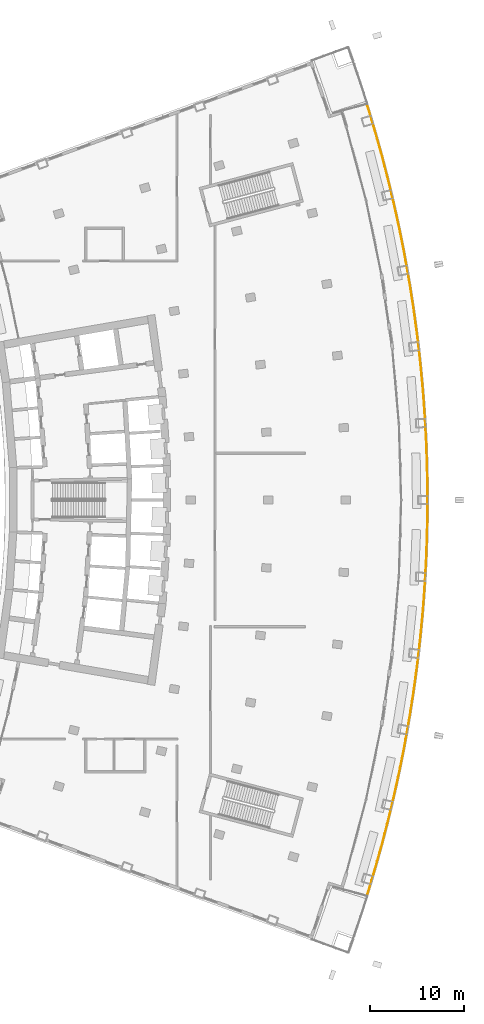
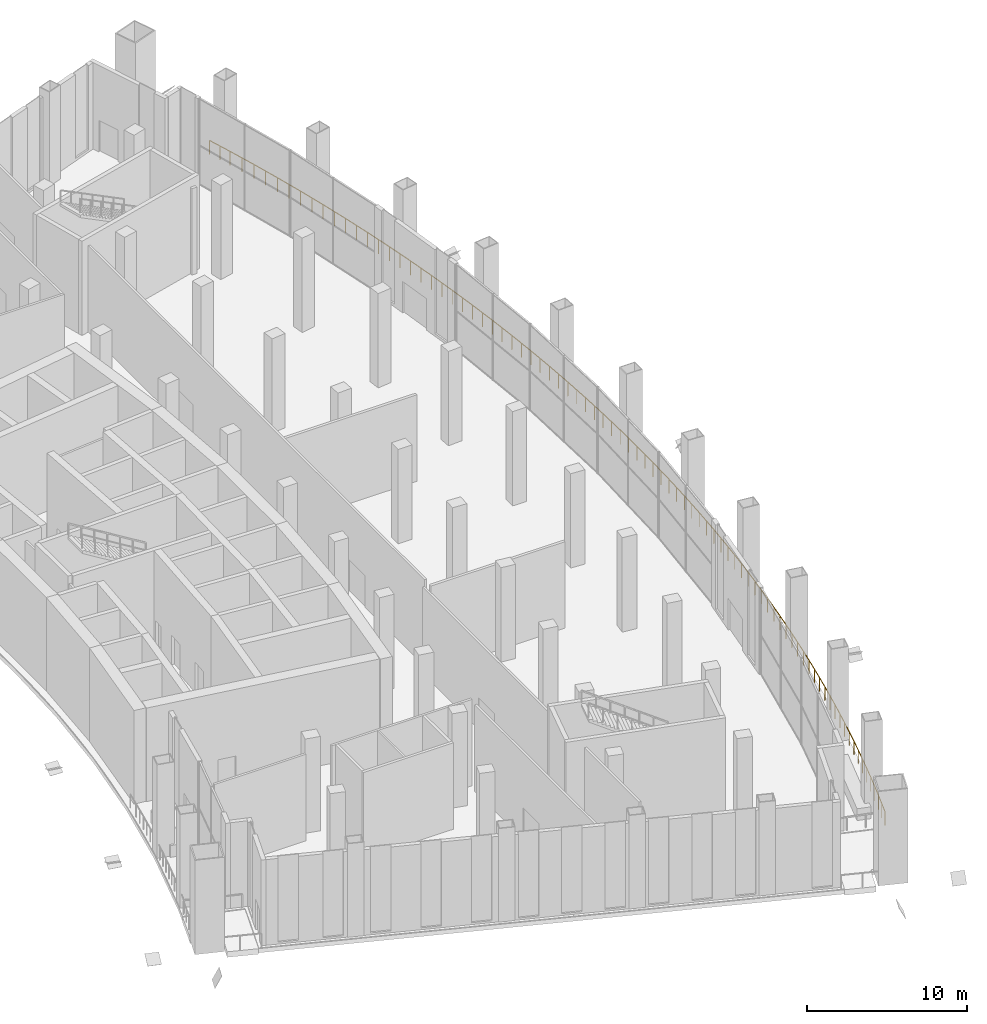
# One storey, part 16 of 18: 1 railing.
"""IFC4 building model written with IfcOpenShell, lengths in metres."""

from ifc_helpers import new_model, si_unit, direction, frame, origin, origin_2d, place, context, subcontext, project, spatial, rectangle, extrude, material, type_object, element, save


model = new_model("IFC4")

# Units and contexts
model_context = context("Model", 3, precision=1e-05, world=origin(), true_north=direction((0.0, 1.0)))
body_context = subcontext(model_context, "Body", "Model", "MODEL_VIEW")
ifc_project = project(units=[si_unit("LENGTHUNIT", "METRE"), si_unit("AREAUNIT", "SQUARE_METRE"), si_unit("VOLUMEUNIT", "CUBIC_METRE"), si_unit("PLANEANGLEUNIT", "RADIAN"), si_unit("MASSUNIT", "GRAM", prefix="KILO")], contexts=[model_context])

# Site, building, storey
site_placement = place(None, origin())
site = spatial("IfcSite", under=ifc_project, at=site_placement, CompositionType="ELEMENT")
building_placement = place(site_placement, origin())
building = spatial("IfcBuilding", under=site, at=building_placement, Name="Alderwake Tower", CompositionType="ELEMENT")
storey_placement = place(building_placement, frame((0.0, 0.0, 125.60009765625)))
storey = spatial("IfcBuildingStorey", under=building, at=storey_placement, Name="L31", CompositionType="ELEMENT", Elevation=125.60009765625)

# Railing
ifc_material = material(Name="Stainless steel 316 rail and posts", Category="steel")
railing_type = type_object("IfcRailingType", Name="Balcony guard 1100", PredefinedType="GUARDRAIL", material=ifc_material)
railing_placement = place(storey_placement, frame((54.5771484375, 18.76171875, 0.0)))
element("IfcRailing", 1, at=railing_placement, inside=storey, type_object=railing_type, Name="Guard garden terrace front", PredefinedType="GUARDRAIL", context=body_context, shape_type="SweptSolid", body=[
    extrude(rectangle(XDim=0.048095703125, YDim=0.048095703125, at=origin_2d()), frame((0.0, 0.0, 1.076171875), z_axis=(0.293626864512, 0.955920114046, 0.0), x_axis=(-0.955920114046, 0.293626864512, 0.0)), (0.0, 0.0, 1.0), 1.7568359375),
    extrude(rectangle(XDim=0.048095703125, YDim=0.048095703125, at=origin_2d()), frame((0.515869140625, 1.679443359375, 1.076171875), z_axis=(0.280469417491, 0.959862962017, 0.0), x_axis=(-0.959862962017, 0.280469417491, 0.0)), (0.0, 0.0, 1.0), 2.056884765625),
    extrude(rectangle(XDim=0.048095703125, YDim=0.048095703125, at=origin_2d()), frame((1.0927734375, 3.65380859375, 1.076171875), z_axis=(0.266560251792, 0.963818256812, 0.0), x_axis=(-0.963818256812, 0.266560251792, 0.0)), (0.0, 0.0, 1.0), 2.05712890625),
    extrude(rectangle(XDim=0.048095703125, YDim=0.048095703125, at=origin_2d()), frame((1.64111328125, 5.636474609375, 1.076171875), z_axis=(0.252465383571, 0.967605927069, 0.0), x_axis=(-0.967605927069, 0.252465383571, 0.0)), (0.0, 0.0, 1.0), 2.056884765625),
    extrude(rectangle(XDim=0.048095703125, YDim=0.048095703125, at=origin_2d()), frame((2.160400390625, 7.626708984375, 1.076171875), z_axis=(0.238316577119, 0.971187525183, 0.0), x_axis=(-0.971187525183, 0.238316577119, 0.0)), (0.0, 0.0, 1.0), 2.05712890625),
    extrude(rectangle(XDim=0.048095703125, YDim=0.048095703125, at=origin_2d()), frame((2.650634765625, 9.62451171875, 1.076171875), z_axis=(0.224087946993, 0.97456892625, 0.0), x_axis=(-0.97456892625, 0.224087946993, 0.0)), (0.0, 0.0, 1.0), 2.056884765625),
    extrude(rectangle(XDim=0.048095703125, YDim=0.048095703125, at=origin_2d()), frame((3.111572265625, 11.629150390625, 1.076171875), z_axis=(0.209861436368, 0.977731137648, 0.0), x_axis=(-0.977731137648, 0.209861436368, 0.0)), (0.0, 0.0, 1.0), 2.056884765625),
    extrude(rectangle(XDim=0.048095703125, YDim=0.048095703125, at=origin_2d()), frame((3.543212890625, 13.64013671875, 1.076171875), z_axis=(0.19559115877, 0.98068552483, 0.0), x_axis=(-0.98068552483, 0.19559115877, 0.0)), (0.0, 0.0, 1.0), 2.05712890625),
    extrude(rectangle(XDim=0.048095703125, YDim=0.048095703125, at=origin_2d()), frame((3.945556640625, 15.657470703125, 1.076171875), z_axis=(0.181370882699, 0.983414766469, 0.0), x_axis=(-0.983414766469, 0.181370882699, 0.0)), (0.0, 0.0, 1.0), 2.056884765625),
    extrude(rectangle(XDim=0.048095703125, YDim=0.048095703125, at=origin_2d()), frame((4.318603515625, 17.68017578125, 1.076171875), z_axis=(0.166861853667, 0.985980284687, 0.0), x_axis=(-0.985980284687, 0.166861853667, 0.0)), (0.0, 0.0, 1.0), 2.05712890625),
    extrude(rectangle(XDim=0.048095703125, YDim=0.048095703125, at=origin_2d()), frame((4.661865234375, 19.70849609375, 1.076171875), z_axis=(0.152529909749, 0.988298854918, 0.0), x_axis=(-0.988298854918, 0.152529909749, 0.0)), (0.0, 0.0, 1.0), 2.056884765625),
    extrude(rectangle(XDim=0.048095703125, YDim=0.048095703125, at=origin_2d()), frame((4.9755859375, 21.7412109375, 1.076171875), z_axis=(0.138147299207, 0.990411694055, 0.0), x_axis=(-0.990411694055, 0.138147299207, 0.0)), (0.0, 0.0, 1.0), 2.05712890625),
    extrude(rectangle(XDim=0.048095703125, YDim=0.048095703125, at=origin_2d()), frame((5.259765625, 23.778564453125, 1.076171875), z_axis=(0.123669542247, 0.992323457508, 0.0), x_axis=(-0.992323457508, 0.123669542247, 0.0)), (0.0, 0.0, 1.0), 2.05712890625),
    extrude(rectangle(XDim=0.048095703125, YDim=0.048095703125, at=origin_2d()), frame((5.51416015625, 25.81982421875, 1.076171875), z_axis=(0.109076614284, 0.994033345626, 0.0), x_axis=(-0.994033345626, 0.109076614284, 0.0)), (0.0, 0.0, 1.0), 2.056884765625),
    extrude(rectangle(XDim=0.048095703125, YDim=0.048095703125, at=origin_2d()), frame((5.738525390625, 27.864501953125, 1.076171875), z_axis=(0.094719470037, 0.995504004008, 0.0), x_axis=(-0.995504004008, 0.094719470037, 0.0)), (0.0, 0.0, 1.0), 2.056884765625),
    extrude(rectangle(XDim=0.048095703125, YDim=0.048095703125, at=origin_2d()), frame((5.933349609375, 29.912109375, 1.076171875), z_axis=(0.080117901998, 0.996785394044, 0.0), x_axis=(-0.996785394044, 0.080117901998, 0.0)), (0.0, 0.0, 1.0), 2.056884765625),
    extrude(rectangle(XDim=0.048095703125, YDim=0.048095703125, at=origin_2d()), frame((6.09814453125, 31.96240234375, 1.076171875), z_axis=(0.065518490326, 0.997851355376, 0.0), x_axis=(-0.997851355376, 0.065518490326, 0.0)), (0.0, 0.0, 1.0), 2.056884765625),
    extrude(rectangle(XDim=0.048095703125, YDim=0.048095703125, at=origin_2d()), frame((6.23291015625, 34.014892578125, 1.076171875), z_axis=(0.051032644544, 0.998696985672, 0.0), x_axis=(-0.998696985672, 0.051032644544, 0.0)), (0.0, 0.0, 1.0), 2.05712890625),
    extrude(rectangle(XDim=0.048095703125, YDim=0.048095703125, at=origin_2d()), frame((6.337890625, 36.0693359375, 1.076171875), z_axis=(0.036436596412, 0.999335966751, 0.0), x_axis=(-0.999335966751, 0.036436596412, 0.0)), (0.0, 0.0, 1.0), 2.05712890625),
    extrude(rectangle(XDim=0.048095703125, YDim=0.048095703125, at=origin_2d()), frame((6.412841796875, 38.125, 1.076171875), z_axis=(0.021839737996, 0.999761484477, 0.0), x_axis=(-0.999761484477, 0.021839737996, 0.0)), (0.0, 0.0, 1.0), 2.056884765625),
    extrude(rectangle(XDim=0.048095703125, YDim=0.048095703125, at=origin_2d()), frame((6.457763671875, 40.181396484375, 1.076171875), z_axis=(0.007358851186, 0.999972923288, 0.0), x_axis=(-0.999972923288, 0.007358851186, 0.0)), (0.0, 0.0, 1.0), 2.056884765625),
    extrude(rectangle(XDim=0.048095703125, YDim=0.048095703125, at=origin_2d()), frame((6.472900390625, 42.23828125, 1.076171875), z_axis=(-0.007358851186, 0.999972923288, 0.0), x_axis=(-0.999972923288, -0.007358851186, 0.0)), (0.0, 0.0, 1.0), 2.056884765625),
    extrude(rectangle(XDim=0.048095703125, YDim=0.048095703125, at=origin_2d()), frame((6.457763671875, 44.295166015625, 1.076171875), z_axis=(-0.021839737996, 0.999761484477, 0.0), x_axis=(-0.999761484477, -0.021839737996, 0.0)), (0.0, 0.0, 1.0), 2.056884765625),
    extrude(rectangle(XDim=0.048095703125, YDim=0.048095703125, at=origin_2d()), frame((6.412841796875, 46.3515625, 1.076171875), z_axis=(-0.036436596412, 0.999335966751, 0.0), x_axis=(-0.999335966751, -0.036436596412, 0.0)), (0.0, 0.0, 1.0), 2.05712890625),
    extrude(rectangle(XDim=0.048095703125, YDim=0.048095703125, at=origin_2d()), frame((6.337890625, 48.4072265625, 1.076171875), z_axis=(-0.051032644544, 0.998696985672, 0.0), x_axis=(-0.998696985672, -0.051032644544, 0.0)), (0.0, 0.0, 1.0), 2.05712890625),
    extrude(rectangle(XDim=0.048095703125, YDim=0.048095703125, at=origin_2d()), frame((6.23291015625, 50.461669921875, 1.076171875), z_axis=(-0.065518490326, 0.997851355376, 0.0), x_axis=(-0.997851355376, -0.065518490326, 0.0)), (0.0, 0.0, 1.0), 2.056884765625),
    extrude(rectangle(XDim=0.048095703125, YDim=0.048095703125, at=origin_2d()), frame((6.09814453125, 52.51416015625, 1.076171875), z_axis=(-0.080117901998, 0.996785394044, 0.0), x_axis=(-0.996785394044, -0.080117901998, 0.0)), (0.0, 0.0, 1.0), 2.056884765625),
    extrude(rectangle(XDim=0.048095703125, YDim=0.048095703125, at=origin_2d()), frame((5.933349609375, 54.564453125, 1.076171875), z_axis=(-0.094719470037, 0.995504004008, 0.0), x_axis=(-0.995504004008, -0.094719470037, 0.0)), (0.0, 0.0, 1.0), 2.056884765625),
    extrude(rectangle(XDim=0.048095703125, YDim=0.048095703125, at=origin_2d()), frame((5.738525390625, 56.612060546875, 1.076171875), z_axis=(-0.109076614284, 0.994033345626, 0.0), x_axis=(-0.994033345626, -0.109076614284, 0.0)), (0.0, 0.0, 1.0), 2.056884765625),
    extrude(rectangle(XDim=0.048095703125, YDim=0.048095703125, at=origin_2d()), frame((5.51416015625, 58.65673828125, 1.076171875), z_axis=(-0.123669542247, 0.992323457508, 0.0), x_axis=(-0.992323457508, -0.123669542247, 0.0)), (0.0, 0.0, 1.0), 2.05712890625),
    extrude(rectangle(XDim=0.048095703125, YDim=0.048095703125, at=origin_2d()), frame((5.259765625, 60.697998046875, 1.076171875), z_axis=(-0.138147299207, 0.990411694055, 0.0), x_axis=(-0.990411694055, -0.138147299207, 0.0)), (0.0, 0.0, 1.0), 2.05712890625),
    extrude(rectangle(XDim=0.048095703125, YDim=0.048095703125, at=origin_2d()), frame((4.9755859375, 62.7353515625, 1.076171875), z_axis=(-0.152529909749, 0.988298854918, 0.0), x_axis=(-0.988298854918, -0.152529909749, 0.0)), (0.0, 0.0, 1.0), 2.056884765625),
    extrude(rectangle(XDim=0.048095703125, YDim=0.048095703125, at=origin_2d()), frame((4.661865234375, 64.76806640625, 1.076171875), z_axis=(-0.166861853667, 0.985980284687, 0.0), x_axis=(-0.985980284687, -0.166861853667, 0.0)), (0.0, 0.0, 1.0), 2.05712890625),
    extrude(rectangle(XDim=0.048095703125, YDim=0.048095703125, at=origin_2d()), frame((4.318603515625, 66.79638671875, 1.076171875), z_axis=(-0.181370882699, 0.983414766469, 0.0), x_axis=(-0.983414766469, -0.181370882699, 0.0)), (0.0, 0.0, 1.0), 2.056884765625),
    extrude(rectangle(XDim=0.048095703125, YDim=0.048095703125, at=origin_2d()), frame((3.945556640625, 68.819091796875, 1.076171875), z_axis=(-0.19559115877, 0.98068552483, 0.0), x_axis=(-0.98068552483, -0.19559115877, 0.0)), (0.0, 0.0, 1.0), 2.05712890625),
    extrude(rectangle(XDim=0.048095703125, YDim=0.048095703125, at=origin_2d()), frame((3.543212890625, 70.83642578125, 1.076171875), z_axis=(-0.209861436368, 0.977731137648, 0.0), x_axis=(-0.977731137648, -0.209861436368, 0.0)), (0.0, 0.0, 1.0), 2.056884765625),
    extrude(rectangle(XDim=0.048095703125, YDim=0.048095703125, at=origin_2d()), frame((3.111572265625, 72.847412109375, 1.076171875), z_axis=(-0.224087946993, 0.97456892625, 0.0), x_axis=(-0.97456892625, -0.224087946993, 0.0)), (0.0, 0.0, 1.0), 2.056884765625),
    extrude(rectangle(XDim=0.048095703125, YDim=0.048095703125, at=origin_2d()), frame((2.650634765625, 74.85205078125, 1.076171875), z_axis=(-0.238316577119, 0.971187525183, 0.0), x_axis=(-0.971187525183, -0.238316577119, 0.0)), (0.0, 0.0, 1.0), 2.05712890625),
    extrude(rectangle(XDim=0.048095703125, YDim=0.048095703125, at=origin_2d()), frame((2.160400390625, 76.849853515625, 1.076171875), z_axis=(-0.252465383571, 0.967605927069, 0.0), x_axis=(-0.967605927069, -0.252465383571, 0.0)), (0.0, 0.0, 1.0), 2.056884765625),
    extrude(rectangle(XDim=0.048095703125, YDim=0.048095703125, at=origin_2d()), frame((1.64111328125, 78.840087890625, 1.076171875), z_axis=(-0.266560251792, 0.963818256812, 0.0), x_axis=(-0.963818256812, -0.266560251792, 0.0)), (0.0, 0.0, 1.0), 2.05712890625),
    extrude(rectangle(XDim=0.048095703125, YDim=0.048095703125, at=origin_2d()), frame((1.0927734375, 80.82275390625, 1.076171875), z_axis=(-0.280469417491, 0.959862962017, 0.0), x_axis=(-0.959862962017, -0.280469417491, 0.0)), (0.0, 0.0, 1.0), 2.056884765625),
    extrude(rectangle(XDim=0.048095703125, YDim=0.048095703125, at=origin_2d()), frame((0.515869140625, 82.797119140625, 1.076171875), z_axis=(-0.293626864512, 0.955920114046, 0.0), x_axis=(-0.955920114046, -0.293626864512, 0.0)), (0.0, 0.0, 1.0), 1.7568359375),
    extrude(rectangle(XDim=0.0419921875, YDim=0.0419921875, at=origin_2d()), frame((0.0, 0.0, 0.0), z_axis=(0.0, 0.0, 1.0), x_axis=(0.293626864512, 0.955920114046, 0.0)), (0.0, 0.0, 1.0), 1.052001953125),
    extrude(rectangle(XDim=0.0419921875, YDim=0.0419921875, at=origin_2d()), frame((0.2578125, 0.83984375, 0.0), z_axis=(0.0, 0.0, 1.0), x_axis=(0.293626864512, 0.955920114046, 0.0)), (0.0, 0.0, 1.0), 1.052001953125),
    extrude(rectangle(XDim=0.0419921875, YDim=0.0419921875, at=origin_2d()), frame((0.515869140625, 1.679443359375, 0.0), z_axis=(0.0, 0.0, 1.0), x_axis=(0.280469417491, 0.959862962017, 0.0)), (0.0, 0.0, 1.0), 1.052001953125),
    extrude(rectangle(XDim=0.0419921875, YDim=0.0419921875, at=origin_2d()), frame((0.80419921875, 2.66650390625, 0.0), z_axis=(0.0, 0.0, 1.0), x_axis=(0.280469417491, 0.959862962017, 0.0)), (0.0, 0.0, 1.0), 1.052001953125),
    extrude(rectangle(XDim=0.0419921875, YDim=0.0419921875, at=origin_2d()), frame((1.0927734375, 3.65380859375, 0.0), z_axis=(0.0, 0.0, 1.0), x_axis=(0.266560251792, 0.963818256812, 0.0)), (0.0, 0.0, 1.0), 1.052001953125),
    extrude(rectangle(XDim=0.0419921875, YDim=0.0419921875, at=origin_2d()), frame((1.366943359375, 4.64501953125, 0.0), z_axis=(0.0, 0.0, 1.0), x_axis=(0.266560251792, 0.963818256812, 0.0)), (0.0, 0.0, 1.0), 1.052001953125),
    extrude(rectangle(XDim=0.0419921875, YDim=0.0419921875, at=origin_2d()), frame((1.64111328125, 5.636474609375, 0.0), z_axis=(0.0, 0.0, 1.0), x_axis=(0.252465383571, 0.967605927069, 0.0)), (0.0, 0.0, 1.0), 1.052001953125),
    extrude(rectangle(XDim=0.0419921875, YDim=0.0419921875, at=origin_2d()), frame((1.90087890625, 6.631591796875, 0.0), z_axis=(0.0, 0.0, 1.0), x_axis=(0.252465383571, 0.967605927069, 0.0)), (0.0, 0.0, 1.0), 1.052001953125),
    extrude(rectangle(XDim=0.0419921875, YDim=0.0419921875, at=origin_2d()), frame((2.160400390625, 7.626708984375, 0.0), z_axis=(0.0, 0.0, 1.0), x_axis=(0.238316577119, 0.971187525183, 0.0)), (0.0, 0.0, 1.0), 1.052001953125),
    extrude(rectangle(XDim=0.0419921875, YDim=0.0419921875, at=origin_2d()), frame((2.405517578125, 8.62548828125, 0.0), z_axis=(0.0, 0.0, 1.0), x_axis=(0.238316577119, 0.971187525183, 0.0)), (0.0, 0.0, 1.0), 1.052001953125),
    extrude(rectangle(XDim=0.0419921875, YDim=0.0419921875, at=origin_2d()), frame((2.650634765625, 9.62451171875, 0.0), z_axis=(0.0, 0.0, 1.0), x_axis=(0.224087946993, 0.97456892625, 0.0)), (0.0, 0.0, 1.0), 1.052001953125),
    extrude(rectangle(XDim=0.0419921875, YDim=0.0419921875, at=origin_2d()), frame((2.881103515625, 10.626953125, 0.0), z_axis=(0.0, 0.0, 1.0), x_axis=(0.224087946993, 0.97456892625, 0.0)), (0.0, 0.0, 1.0), 1.052001953125),
    extrude(rectangle(XDim=0.0419921875, YDim=0.0419921875, at=origin_2d()), frame((3.111572265625, 11.629150390625, 0.0), z_axis=(0.0, 0.0, 1.0), x_axis=(0.209861436368, 0.977731137648, 0.0)), (0.0, 0.0, 1.0), 1.052001953125),
    extrude(rectangle(XDim=0.0419921875, YDim=0.0419921875, at=origin_2d()), frame((3.327392578125, 12.634765625, 0.0), z_axis=(0.0, 0.0, 1.0), x_axis=(0.209861436368, 0.977731137648, 0.0)), (0.0, 0.0, 1.0), 1.052001953125),
    extrude(rectangle(XDim=0.0419921875, YDim=0.0419921875, at=origin_2d()), frame((3.543212890625, 13.64013671875, 0.0), z_axis=(0.0, 0.0, 1.0), x_axis=(0.19559115877, 0.98068552483, 0.0)), (0.0, 0.0, 1.0), 1.052001953125),
    extrude(rectangle(XDim=0.0419921875, YDim=0.0419921875, at=origin_2d()), frame((3.744384765625, 14.64892578125, 0.0), z_axis=(0.0, 0.0, 1.0), x_axis=(0.19559115877, 0.98068552483, 0.0)), (0.0, 0.0, 1.0), 1.052001953125),
    extrude(rectangle(XDim=0.0419921875, YDim=0.0419921875, at=origin_2d()), frame((3.945556640625, 15.657470703125, 0.0), z_axis=(0.0, 0.0, 1.0), x_axis=(0.181370882699, 0.983414766469, 0.0)), (0.0, 0.0, 1.0), 1.052001953125),
    extrude(rectangle(XDim=0.0419921875, YDim=0.0419921875, at=origin_2d()), frame((4.132080078125, 16.6689453125, 0.0), z_axis=(0.0, 0.0, 1.0), x_axis=(0.181370882699, 0.983414766469, 0.0)), (0.0, 0.0, 1.0), 1.052001953125),
    extrude(rectangle(XDim=0.0419921875, YDim=0.0419921875, at=origin_2d()), frame((4.318603515625, 17.68017578125, 0.0), z_axis=(0.0, 0.0, 1.0), x_axis=(0.166861853667, 0.985980284687, 0.0)), (0.0, 0.0, 1.0), 1.052001953125),
    extrude(rectangle(XDim=0.0419921875, YDim=0.0419921875, at=origin_2d()), frame((4.490234375, 18.6943359375, 0.0), z_axis=(0.0, 0.0, 1.0), x_axis=(0.166861853667, 0.985980284687, 0.0)), (0.0, 0.0, 1.0), 1.052001953125),
    extrude(rectangle(XDim=0.0419921875, YDim=0.0419921875, at=origin_2d()), frame((4.661865234375, 19.70849609375, 0.0), z_axis=(0.0, 0.0, 1.0), x_axis=(0.152529909749, 0.988298854918, 0.0)), (0.0, 0.0, 1.0), 1.052001953125),
    extrude(rectangle(XDim=0.0419921875, YDim=0.0419921875, at=origin_2d()), frame((4.81884765625, 20.724853515625, 0.0), z_axis=(0.0, 0.0, 1.0), x_axis=(0.152529909749, 0.988298854918, 0.0)), (0.0, 0.0, 1.0), 1.052001953125),
    extrude(rectangle(XDim=0.0419921875, YDim=0.0419921875, at=origin_2d()), frame((4.9755859375, 21.7412109375, 0.0), z_axis=(0.0, 0.0, 1.0), x_axis=(0.138147299207, 0.990411694055, 0.0)), (0.0, 0.0, 1.0), 1.052001953125),
    extrude(rectangle(XDim=0.0419921875, YDim=0.0419921875, at=origin_2d()), frame((5.11767578125, 22.759765625, 0.0), z_axis=(0.0, 0.0, 1.0), x_axis=(0.138147299207, 0.990411694055, 0.0)), (0.0, 0.0, 1.0), 1.052001953125),
    extrude(rectangle(XDim=0.0419921875, YDim=0.0419921875, at=origin_2d()), frame((5.259765625, 23.778564453125, 0.0), z_axis=(0.0, 0.0, 1.0), x_axis=(0.123669542247, 0.992323457508, 0.0)), (0.0, 0.0, 1.0), 1.052001953125),
    extrude(rectangle(XDim=0.0419921875, YDim=0.0419921875, at=origin_2d()), frame((5.386962890625, 24.79931640625, 0.0), z_axis=(0.0, 0.0, 1.0), x_axis=(0.123669542247, 0.992323457508, 0.0)), (0.0, 0.0, 1.0), 1.052001953125),
    extrude(rectangle(XDim=0.0419921875, YDim=0.0419921875, at=origin_2d()), frame((5.51416015625, 25.81982421875, 0.0), z_axis=(0.0, 0.0, 1.0), x_axis=(0.109076614284, 0.994033345626, 0.0)), (0.0, 0.0, 1.0), 1.052001953125),
    extrude(rectangle(XDim=0.0419921875, YDim=0.0419921875, at=origin_2d()), frame((5.62646484375, 26.84228515625, 0.0), z_axis=(0.0, 0.0, 1.0), x_axis=(0.109076614284, 0.994033345626, 0.0)), (0.0, 0.0, 1.0), 1.052001953125),
    extrude(rectangle(XDim=0.0419921875, YDim=0.0419921875, at=origin_2d()), frame((5.738525390625, 27.864501953125, 0.0), z_axis=(0.0, 0.0, 1.0), x_axis=(0.094719470037, 0.995504004008, 0.0)), (0.0, 0.0, 1.0), 1.052001953125),
    extrude(rectangle(XDim=0.0419921875, YDim=0.0419921875, at=origin_2d()), frame((5.8359375, 28.88818359375, 0.0), z_axis=(0.0, 0.0, 1.0), x_axis=(0.094719470037, 0.995504004008, 0.0)), (0.0, 0.0, 1.0), 1.052001953125),
    extrude(rectangle(XDim=0.0419921875, YDim=0.0419921875, at=origin_2d()), frame((5.933349609375, 29.912109375, 0.0), z_axis=(0.0, 0.0, 1.0), x_axis=(0.080117901998, 0.996785394044, 0.0)), (0.0, 0.0, 1.0), 1.052001953125),
    extrude(rectangle(XDim=0.0419921875, YDim=0.0419921875, at=origin_2d()), frame((6.015625, 30.937255859375, 0.0), z_axis=(0.0, 0.0, 1.0), x_axis=(0.080117901998, 0.996785394044, 0.0)), (0.0, 0.0, 1.0), 1.052001953125),
    extrude(rectangle(XDim=0.0419921875, YDim=0.0419921875, at=origin_2d()), frame((6.09814453125, 31.96240234375, 0.0), z_axis=(0.0, 0.0, 1.0), x_axis=(0.065518490326, 0.997851355376, 0.0)), (0.0, 0.0, 1.0), 1.052001953125),
    extrude(rectangle(XDim=0.0419921875, YDim=0.0419921875, at=origin_2d()), frame((6.16552734375, 32.98876953125, 0.0), z_axis=(0.0, 0.0, 1.0), x_axis=(0.065518490326, 0.997851355376, 0.0)), (0.0, 0.0, 1.0), 1.052001953125),
    extrude(rectangle(XDim=0.0419921875, YDim=0.0419921875, at=origin_2d()), frame((6.23291015625, 34.014892578125, 0.0), z_axis=(0.0, 0.0, 1.0), x_axis=(0.051032644544, 0.998696985672, 0.0)), (0.0, 0.0, 1.0), 1.052001953125),
    extrude(rectangle(XDim=0.0419921875, YDim=0.0419921875, at=origin_2d()), frame((6.285400390625, 35.0419921875, 0.0), z_axis=(0.0, 0.0, 1.0), x_axis=(0.051032644544, 0.998696985672, 0.0)), (0.0, 0.0, 1.0), 1.052001953125),
    extrude(rectangle(XDim=0.0419921875, YDim=0.0419921875, at=origin_2d()), frame((6.337890625, 36.0693359375, 0.0), z_axis=(0.0, 0.0, 1.0), x_axis=(0.036436596412, 0.999335966751, 0.0)), (0.0, 0.0, 1.0), 1.052001953125),
    extrude(rectangle(XDim=0.0419921875, YDim=0.0419921875, at=origin_2d()), frame((6.37548828125, 37.09716796875, 0.0), z_axis=(0.0, 0.0, 1.0), x_axis=(0.036436596412, 0.999335966751, 0.0)), (0.0, 0.0, 1.0), 1.052001953125),
    extrude(rectangle(XDim=0.0419921875, YDim=0.0419921875, at=origin_2d()), frame((6.412841796875, 38.125, 0.0), z_axis=(0.0, 0.0, 1.0), x_axis=(0.021839737996, 0.999761484477, 0.0)), (0.0, 0.0, 1.0), 1.052001953125),
    extrude(rectangle(XDim=0.0419921875, YDim=0.0419921875, at=origin_2d()), frame((6.435302734375, 39.1533203125, 0.0), z_axis=(0.0, 0.0, 1.0), x_axis=(0.021839737996, 0.999761484477, 0.0)), (0.0, 0.0, 1.0), 1.052001953125),
    extrude(rectangle(XDim=0.0419921875, YDim=0.0419921875, at=origin_2d()), frame((6.457763671875, 40.181396484375, 0.0), z_axis=(0.0, 0.0, 1.0), x_axis=(0.007358851186, 0.999972923288, 0.0)), (0.0, 0.0, 1.0), 1.052001953125),
    extrude(rectangle(XDim=0.0419921875, YDim=0.0419921875, at=origin_2d()), frame((6.46533203125, 41.2099609375, 0.0), z_axis=(0.0, 0.0, 1.0), x_axis=(0.007358851186, 0.999972923288, 0.0)), (0.0, 0.0, 1.0), 1.052001953125),
    extrude(rectangle(XDim=0.0419921875, YDim=0.0419921875, at=origin_2d()), frame((6.472900390625, 42.23828125, 0.0), z_axis=(0.0, 0.0, 1.0), x_axis=(-0.007358851186, 0.999972923288, 0.0)), (0.0, 0.0, 1.0), 1.052001953125),
    extrude(rectangle(XDim=0.0419921875, YDim=0.0419921875, at=origin_2d()), frame((6.46533203125, 43.2666015625, 0.0), z_axis=(0.0, 0.0, 1.0), x_axis=(-0.007358851186, 0.999972923288, 0.0)), (0.0, 0.0, 1.0), 1.052001953125),
    extrude(rectangle(XDim=0.0419921875, YDim=0.0419921875, at=origin_2d()), frame((6.457763671875, 44.295166015625, 0.0), z_axis=(0.0, 0.0, 1.0), x_axis=(-0.021839737996, 0.999761484477, 0.0)), (0.0, 0.0, 1.0), 1.052001953125),
    extrude(rectangle(XDim=0.0419921875, YDim=0.0419921875, at=origin_2d()), frame((6.435302734375, 45.3232421875, 0.0), z_axis=(0.0, 0.0, 1.0), x_axis=(-0.021839737996, 0.999761484477, 0.0)), (0.0, 0.0, 1.0), 1.052001953125),
    extrude(rectangle(XDim=0.0419921875, YDim=0.0419921875, at=origin_2d()), frame((6.412841796875, 46.3515625, 0.0), z_axis=(0.0, 0.0, 1.0), x_axis=(-0.036436596412, 0.999335966751, 0.0)), (0.0, 0.0, 1.0), 1.052001953125),
    extrude(rectangle(XDim=0.0419921875, YDim=0.0419921875, at=origin_2d()), frame((6.37548828125, 47.37939453125, 0.0), z_axis=(0.0, 0.0, 1.0), x_axis=(-0.036436596412, 0.999335966751, 0.0)), (0.0, 0.0, 1.0), 1.052001953125),
    extrude(rectangle(XDim=0.0419921875, YDim=0.0419921875, at=origin_2d()), frame((6.337890625, 48.4072265625, 0.0), z_axis=(0.0, 0.0, 1.0), x_axis=(-0.051032644544, 0.998696985672, 0.0)), (0.0, 0.0, 1.0), 1.052001953125),
    extrude(rectangle(XDim=0.0419921875, YDim=0.0419921875, at=origin_2d()), frame((6.285400390625, 49.4345703125, 0.0), z_axis=(0.0, 0.0, 1.0), x_axis=(-0.051032644544, 0.998696985672, 0.0)), (0.0, 0.0, 1.0), 1.052001953125),
    extrude(rectangle(XDim=0.0419921875, YDim=0.0419921875, at=origin_2d()), frame((6.23291015625, 50.461669921875, 0.0), z_axis=(0.0, 0.0, 1.0), x_axis=(-0.065518490326, 0.997851355376, 0.0)), (0.0, 0.0, 1.0), 1.052001953125),
    extrude(rectangle(XDim=0.0419921875, YDim=0.0419921875, at=origin_2d()), frame((6.16552734375, 51.48779296875, 0.0), z_axis=(0.0, 0.0, 1.0), x_axis=(-0.065518490326, 0.997851355376, 0.0)), (0.0, 0.0, 1.0), 1.052001953125),
    extrude(rectangle(XDim=0.0419921875, YDim=0.0419921875, at=origin_2d()), frame((6.09814453125, 52.51416015625, 0.0), z_axis=(0.0, 0.0, 1.0), x_axis=(-0.080117901998, 0.996785394044, 0.0)), (0.0, 0.0, 1.0), 1.052001953125),
    extrude(rectangle(XDim=0.0419921875, YDim=0.0419921875, at=origin_2d()), frame((6.015625, 53.539306640625, 0.0), z_axis=(0.0, 0.0, 1.0), x_axis=(-0.080117901998, 0.996785394044, 0.0)), (0.0, 0.0, 1.0), 1.052001953125),
    extrude(rectangle(XDim=0.0419921875, YDim=0.0419921875, at=origin_2d()), frame((5.933349609375, 54.564453125, 0.0), z_axis=(0.0, 0.0, 1.0), x_axis=(-0.094719470037, 0.995504004008, 0.0)), (0.0, 0.0, 1.0), 1.052001953125),
    extrude(rectangle(XDim=0.0419921875, YDim=0.0419921875, at=origin_2d()), frame((5.8359375, 55.58837890625, 0.0), z_axis=(0.0, 0.0, 1.0), x_axis=(-0.094719470037, 0.995504004008, 0.0)), (0.0, 0.0, 1.0), 1.052001953125),
    extrude(rectangle(XDim=0.0419921875, YDim=0.0419921875, at=origin_2d()), frame((5.738525390625, 56.612060546875, 0.0), z_axis=(0.0, 0.0, 1.0), x_axis=(-0.109076614284, 0.994033345626, 0.0)), (0.0, 0.0, 1.0), 1.052001953125),
    extrude(rectangle(XDim=0.0419921875, YDim=0.0419921875, at=origin_2d()), frame((5.62646484375, 57.63427734375, 0.0), z_axis=(0.0, 0.0, 1.0), x_axis=(-0.109076614284, 0.994033345626, 0.0)), (0.0, 0.0, 1.0), 1.052001953125),
    extrude(rectangle(XDim=0.0419921875, YDim=0.0419921875, at=origin_2d()), frame((5.51416015625, 58.65673828125, 0.0), z_axis=(0.0, 0.0, 1.0), x_axis=(-0.123669542247, 0.992323457508, 0.0)), (0.0, 0.0, 1.0), 1.052001953125),
    extrude(rectangle(XDim=0.0419921875, YDim=0.0419921875, at=origin_2d()), frame((5.386962890625, 59.67724609375, 0.0), z_axis=(0.0, 0.0, 1.0), x_axis=(-0.123669542247, 0.992323457508, 0.0)), (0.0, 0.0, 1.0), 1.052001953125),
    extrude(rectangle(XDim=0.0419921875, YDim=0.0419921875, at=origin_2d()), frame((5.259765625, 60.697998046875, 0.0), z_axis=(0.0, 0.0, 1.0), x_axis=(-0.138147299207, 0.990411694055, 0.0)), (0.0, 0.0, 1.0), 1.052001953125),
    extrude(rectangle(XDim=0.0419921875, YDim=0.0419921875, at=origin_2d()), frame((5.11767578125, 61.716796875, 0.0), z_axis=(0.0, 0.0, 1.0), x_axis=(-0.138147299207, 0.990411694055, 0.0)), (0.0, 0.0, 1.0), 1.052001953125),
    extrude(rectangle(XDim=0.0419921875, YDim=0.0419921875, at=origin_2d()), frame((4.9755859375, 62.7353515625, 0.0), z_axis=(0.0, 0.0, 1.0), x_axis=(-0.152529909749, 0.988298854918, 0.0)), (0.0, 0.0, 1.0), 1.052001953125),
    extrude(rectangle(XDim=0.0419921875, YDim=0.0419921875, at=origin_2d()), frame((4.81884765625, 63.751708984375, 0.0), z_axis=(0.0, 0.0, 1.0), x_axis=(-0.152529909749, 0.988298854918, 0.0)), (0.0, 0.0, 1.0), 1.052001953125),
    extrude(rectangle(XDim=0.0419921875, YDim=0.0419921875, at=origin_2d()), frame((4.661865234375, 64.76806640625, 0.0), z_axis=(0.0, 0.0, 1.0), x_axis=(-0.166861853667, 0.985980284687, 0.0)), (0.0, 0.0, 1.0), 1.052001953125),
    extrude(rectangle(XDim=0.0419921875, YDim=0.0419921875, at=origin_2d()), frame((4.490234375, 65.7822265625, 0.0), z_axis=(0.0, 0.0, 1.0), x_axis=(-0.166861853667, 0.985980284687, 0.0)), (0.0, 0.0, 1.0), 1.052001953125),
    extrude(rectangle(XDim=0.0419921875, YDim=0.0419921875, at=origin_2d()), frame((4.318603515625, 66.79638671875, 0.0), z_axis=(0.0, 0.0, 1.0), x_axis=(-0.181370882699, 0.983414766469, 0.0)), (0.0, 0.0, 1.0), 1.052001953125),
    extrude(rectangle(XDim=0.0419921875, YDim=0.0419921875, at=origin_2d()), frame((4.132080078125, 67.8076171875, 0.0), z_axis=(0.0, 0.0, 1.0), x_axis=(-0.181370882699, 0.983414766469, 0.0)), (0.0, 0.0, 1.0), 1.052001953125),
    extrude(rectangle(XDim=0.0419921875, YDim=0.0419921875, at=origin_2d()), frame((3.945556640625, 68.819091796875, 0.0), z_axis=(0.0, 0.0, 1.0), x_axis=(-0.19559115877, 0.98068552483, 0.0)), (0.0, 0.0, 1.0), 1.052001953125),
    extrude(rectangle(XDim=0.0419921875, YDim=0.0419921875, at=origin_2d()), frame((3.744384765625, 69.82763671875, 0.0), z_axis=(0.0, 0.0, 1.0), x_axis=(-0.19559115877, 0.98068552483, 0.0)), (0.0, 0.0, 1.0), 1.052001953125),
    extrude(rectangle(XDim=0.0419921875, YDim=0.0419921875, at=origin_2d()), frame((3.543212890625, 70.83642578125, 0.0), z_axis=(0.0, 0.0, 1.0), x_axis=(-0.209861436368, 0.977731137648, 0.0)), (0.0, 0.0, 1.0), 1.052001953125),
    extrude(rectangle(XDim=0.0419921875, YDim=0.0419921875, at=origin_2d()), frame((3.327392578125, 71.841796875, 0.0), z_axis=(0.0, 0.0, 1.0), x_axis=(-0.209861436368, 0.977731137648, 0.0)), (0.0, 0.0, 1.0), 1.052001953125),
    extrude(rectangle(XDim=0.0419921875, YDim=0.0419921875, at=origin_2d()), frame((3.111572265625, 72.847412109375, 0.0), z_axis=(0.0, 0.0, 1.0), x_axis=(-0.224087946993, 0.97456892625, 0.0)), (0.0, 0.0, 1.0), 1.052001953125),
    extrude(rectangle(XDim=0.0419921875, YDim=0.0419921875, at=origin_2d()), frame((2.881103515625, 73.849609375, 0.0), z_axis=(0.0, 0.0, 1.0), x_axis=(-0.224087946993, 0.97456892625, 0.0)), (0.0, 0.0, 1.0), 1.052001953125),
    extrude(rectangle(XDim=0.0419921875, YDim=0.0419921875, at=origin_2d()), frame((2.650634765625, 74.85205078125, 0.0), z_axis=(0.0, 0.0, 1.0), x_axis=(-0.238316577119, 0.971187525183, 0.0)), (0.0, 0.0, 1.0), 1.052001953125),
    extrude(rectangle(XDim=0.0419921875, YDim=0.0419921875, at=origin_2d()), frame((2.405517578125, 75.85107421875, 0.0), z_axis=(0.0, 0.0, 1.0), x_axis=(-0.238316577119, 0.971187525183, 0.0)), (0.0, 0.0, 1.0), 1.052001953125),
    extrude(rectangle(XDim=0.0419921875, YDim=0.0419921875, at=origin_2d()), frame((2.160400390625, 76.849853515625, 0.0), z_axis=(0.0, 0.0, 1.0), x_axis=(-0.252465383571, 0.967605927069, 0.0)), (0.0, 0.0, 1.0), 1.052001953125),
    extrude(rectangle(XDim=0.0419921875, YDim=0.0419921875, at=origin_2d()), frame((1.90087890625, 77.844970703125, 0.0), z_axis=(0.0, 0.0, 1.0), x_axis=(-0.252465383571, 0.967605927069, 0.0)), (0.0, 0.0, 1.0), 1.052001953125),
    extrude(rectangle(XDim=0.0419921875, YDim=0.0419921875, at=origin_2d()), frame((1.64111328125, 78.840087890625, 0.0), z_axis=(0.0, 0.0, 1.0), x_axis=(-0.266560251792, 0.963818256812, 0.0)), (0.0, 0.0, 1.0), 1.052001953125),
    extrude(rectangle(XDim=0.0419921875, YDim=0.0419921875, at=origin_2d()), frame((1.366943359375, 79.83154296875, 0.0), z_axis=(0.0, 0.0, 1.0), x_axis=(-0.266560251792, 0.963818256812, 0.0)), (0.0, 0.0, 1.0), 1.052001953125),
    extrude(rectangle(XDim=0.0419921875, YDim=0.0419921875, at=origin_2d()), frame((1.0927734375, 80.82275390625, 0.0), z_axis=(0.0, 0.0, 1.0), x_axis=(-0.280469417491, 0.959862962017, 0.0)), (0.0, 0.0, 1.0), 1.052001953125),
    extrude(rectangle(XDim=0.0419921875, YDim=0.0419921875, at=origin_2d()), frame((0.80419921875, 81.81005859375, 0.0), z_axis=(0.0, 0.0, 1.0), x_axis=(-0.280469417491, 0.959862962017, 0.0)), (0.0, 0.0, 1.0), 1.052001953125),
    extrude(rectangle(XDim=0.0419921875, YDim=0.0419921875, at=origin_2d()), frame((0.515869140625, 82.797119140625, 0.0), z_axis=(0.0, 0.0, 1.0), x_axis=(-0.293626864512, 0.955920114046, 0.0)), (0.0, 0.0, 1.0), 1.052001953125),
    extrude(rectangle(XDim=0.0419921875, YDim=0.0419921875, at=origin_2d()), frame((0.2578125, 83.63671875, 0.0), z_axis=(0.0, 0.0, 1.0), x_axis=(-0.293626864512, 0.955920114046, 0.0)), (0.0, 0.0, 1.0), 1.052001953125),
    extrude(rectangle(XDim=0.0419921875, YDim=0.0419921875, at=origin_2d()), frame((0.0, 84.4765625, 0.0), z_axis=(0.0, 0.0, 1.0), x_axis=(-0.293626864512, 0.955920114046, 0.0)), (0.0, 0.0, 1.0), 1.052001953125),
])

save(model, "model.ifc")
